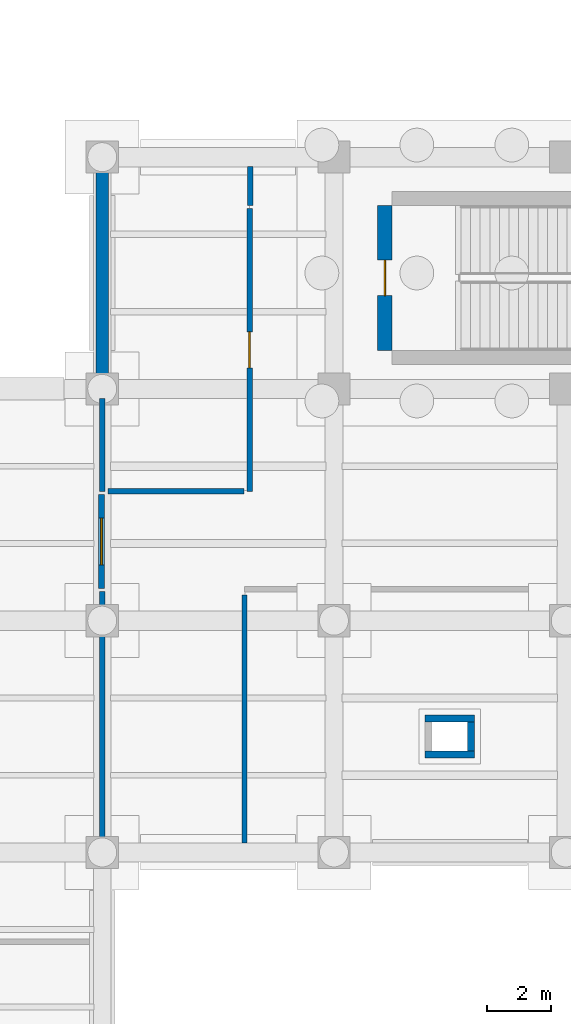
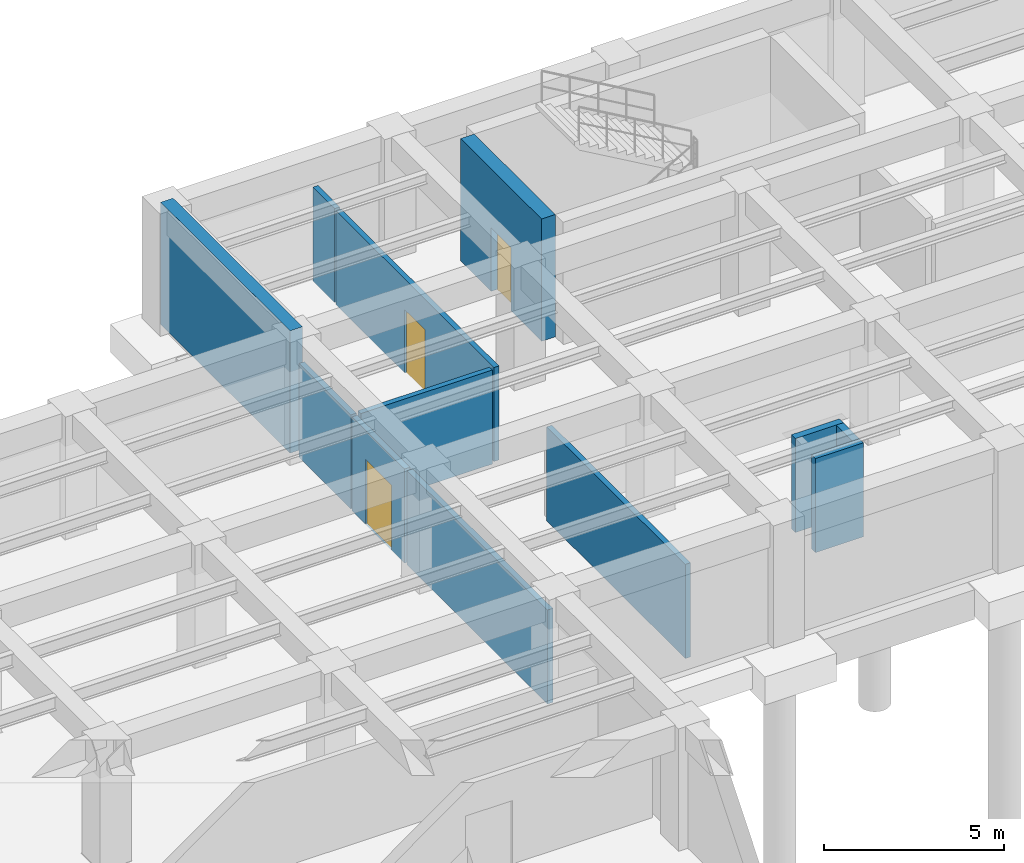
# One storey, part 18 of 34: 12 walls, 3 doors, 3 openings.
"""IFC4 building model written with IfcOpenShell, lengths in metres."""

from ifc_helpers import new_model, si_unit, direction, frame, frame_2d, origin, place, context, subcontext, project, spatial, rectangle, extrude, material, layer, layer_set, type_object, element, fill, save


model = new_model("IFC4")

# Units and contexts
model_context = context("Model", 3, precision=1e-05, world=origin(), true_north=direction((0.0, 1.0)))
body_context = subcontext(model_context, "Body", "Model", "MODEL_VIEW")
ifc_project = project(units=[si_unit("LENGTHUNIT", "METRE"), si_unit("AREAUNIT", "SQUARE_METRE"), si_unit("VOLUMEUNIT", "CUBIC_METRE"), si_unit("PLANEANGLEUNIT", "RADIAN"), si_unit("MASSUNIT", "GRAM", prefix="KILO")], contexts=[model_context])

# Site, building, storey
site_placement = place(None, origin())
site = spatial("IfcSite", under=ifc_project, at=site_placement, CompositionType="ELEMENT")
building_placement = place(site_placement, origin())
building = spatial("IfcBuilding", under=site, at=building_placement, Name="Solenvale Faculty of Natural Sciences", CompositionType="ELEMENT")
storey_placement = place(building_placement, frame((0.0, 0.0, -4.5)))
storey = spatial("IfcBuildingStorey", under=building, at=storey_placement, Name="B01", CompositionType="ELEMENT", Elevation=-4.5)

# Wall
ifc_material_1 = material(Name="Gypsum fire-rated laboratory partition")
ifc_layer_1 = layer(ifc_material_1, 0.175048828125)
ifc_layer_set_1 = layer_set([ifc_layer_1], Name="Gypsum fire-rated laboratory partition")
wall_type_1 = type_object("IfcWallType", Name="WL-LAB-175", PredefinedType="PARTITIONING", material=ifc_layer_set_1)
wall_1_placement = place(storey_placement, frame((115.199951171875, 50.10009765625, 0.0), z_axis=(0.0, 0.0, 1.0), x_axis=(0.0, -1.0, 0.0)))
element("IfcWall", 1, at=wall_1_placement, inside=storey, type_object=wall_type_1, Name="B01 Geotechnical Rock Mechanics Laboratory Partition 20", PredefinedType="PARTITIONING", context=body_context, shape_type="SweptSolid", body=[
    extrude(rectangle(XDim=2.880126953125, YDim=0.175048828125, at=frame_2d((1.43994140625, 0.0))), origin(), (0.0, 0.0, 1.0), 3.18994140625),
])

# Wall, opening, door
wall_2_placement = place(storey_placement, frame((115.179931640625, 47.1201171875, 0.0), z_axis=(0.0, 0.0, 1.0), x_axis=(0.0, -1.0, 0.0)))
wall_2 = element("IfcWall", 2, at=wall_2_placement, inside=storey, type_object=wall_type_1, Name="B01 Geotechnical Rock Mechanics Laboratory Partition 37", PredefinedType="PARTITIONING", context=body_context, shape_type="SweptSolid", body=[
    extrude(rectangle(XDim=2.920166015625, YDim=0.175048828125, at=frame_2d((1.4599609375, 0.0))), origin(), (0.0, 0.0, 1.0), 3.18994140625),
])
opening_1_placement = place(wall_2_placement, frame((0.735107421875, 0.0, 0.0)))
opening_1 = element("IfcOpeningElement", 3, at=opening_1_placement, cuts=wall_2, Name="Opening D-B01-08", PredefinedType="OPENING", context=body_context, shape_type="SweptSolid", body=[
    extrude(rectangle(XDim=1.449951171875, YDim=2.199951171875, at=frame_2d((0.72509765625, 1.10009765625))), frame((0.0, 0.097412109375, 0.0), z_axis=(0.0, -1.0, 0.0), x_axis=(1.0, 0.0, 0.0)), (0.0, 0.0, 1.0), 0.195068359375),
])
ifc_material_2 = material(Name="Oak acoustic timber leaf", Category="wood")
door_type_1 = type_object("IfcDoorType", Name="DR-LAB-1450x2200", OperationType="NOTDEFINED", PredefinedType="DOOR", material=ifc_material_2)
door_1_placement = place(opening_1_placement, origin())
door_1 = element("IfcDoor", 4, at=door_1_placement, inside=storey, type_object=door_type_1, Name="B01 Geotechnical Rock Mechanics Laboratory Door", OperationType="SINGLE_SWING_RIGHT", OverallHeight=2.199951171875, OverallWidth=1.449951171875, PredefinedType="DOOR", context=body_context, shape_type="SweptSolid", body=[
    extrude(rectangle(XDim=1.449951171875, YDim=2.199951171875, at=frame_2d((0.72509765625, 1.10009765625))), frame((0.0, 0.02490234375, 0.0), z_axis=(0.0, -1.0, 0.0), x_axis=(1.0, 0.0, 0.0)), (0.0, 0.0, 1.0), 0.050048828125),
])
fill(opening_1, door_1)

# Walls
wall_3_placement = place(storey_placement, frame((115.199951171875, 44.10107421875, 0.0), z_axis=(0.0, 0.0, 1.0), x_axis=(0.0, -1.0, 0.0)))
element("IfcWall", 5, at=wall_3_placement, inside=storey, type_object=wall_type_1, Name="B01 Geotechnical Rock Mechanics Laboratory Partition 54", PredefinedType="PARTITIONING", context=body_context, shape_type="SweptSolid", body=[
    extrude(rectangle(XDim=7.801025390625, YDim=0.175048828125, at=frame_2d((3.900390625, 0.0))), origin(), (0.0, 0.0, 1.0), 3.18994140625),
])
ifc_material_3 = material(Name="Concrete 40 MPa", Category="concrete")
ifc_layer_2 = layer(ifc_material_3, 0.39990234375)
ifc_layer_set_2 = layer_set([ifc_layer_2], Name="Concrete 40 MPa")
wall_type_2 = type_object("IfcWallType", Name="WL-RET-400", PredefinedType="SOLIDWALL", material=ifc_layer_set_2)
wall_4_placement = place(storey_placement, frame((115.199951171875, 50.39990234375, 0.0), z_axis=(0.0, 0.0, 1.0), x_axis=(0.0, 1.0, 0.0)))
element("IfcWall", 6, at=wall_4_placement, inside=storey, type_object=wall_type_2, Name="B01 Escarpment Retaining Wall 14", PredefinedType="SOLIDWALL", context=body_context, shape_type="SweptSolid", body=[
    extrude(rectangle(XDim=7.2001953125, YDim=0.39990234375, at=frame_2d((3.60009765625, 0.0))), origin(), (0.0, 0.0, 1.0), 4.14990234375),
])

# Wall, opening, door
ifc_material_4 = material(Name="Acoustic double-stud gypsum partition")
ifc_layer_3 = layer(ifc_material_4, 0.1650390625)
ifc_layer_set_3 = layer_set([ifc_layer_3], Name="Acoustic double-stud gypsum partition")
wall_type_3 = type_object("IfcWallType", Name="WL-SEM-165", PredefinedType="PARTITIONING", material=ifc_layer_set_3)
wall_5_placement = place(storey_placement, frame((119.780029296875, 56.0, 0.0), z_axis=(0.0, 0.0, 1.0), x_axis=(0.0, -1.0, 0.0)))
wall_5 = element("IfcWall", 7, at=wall_5_placement, inside=storey, type_object=wall_type_3, Name="B01 Seminar Room Partition 16", PredefinedType="PARTITIONING", context=body_context, shape_type="SweptSolid", body=[
    extrude(rectangle(XDim=8.780029296875, YDim=0.1650390625, at=frame_2d((4.39013671875, 0.0))), origin(), (0.0, 0.0, 1.0), 3.18994140625),
])
opening_2_placement = place(wall_5_placement, frame((3.830078125, 0.0, 0.0)))
opening_2 = element("IfcOpeningElement", 8, at=opening_2_placement, cuts=wall_5, Name="Opening D-B01-11", PredefinedType="OPENING", context=body_context, shape_type="SweptSolid", body=[
    extrude(rectangle(XDim=1.1201171875, YDim=2.14990234375, at=frame_2d((0.56005859375, 1.074951171875))), frame((0.0, 0.092529296875, 0.0), z_axis=(0.0, -1.0, 0.0), x_axis=(1.0, 0.0, 0.0)), (0.0, 0.0, 1.0), 0.18505859375),
])
door_type_2 = type_object("IfcDoorType", Name="DR-SEM-1120x2150", OperationType="NOTDEFINED", PredefinedType="DOOR", material=ifc_material_2)
door_2_placement = place(opening_2_placement, origin())
door_2 = element("IfcDoor", 9, at=door_2_placement, inside=storey, type_object=door_type_2, Name="B01 Seminar Room Door", OperationType="SINGLE_SWING_LEFT", OverallHeight=2.14990234375, OverallWidth=1.1201171875, PredefinedType="DOOR", context=body_context, shape_type="SweptSolid", body=[
    extrude(rectangle(XDim=1.1201171875, YDim=2.14990234375, at=frame_2d((0.56005859375, 1.074951171875))), frame((0.0, 0.02490234375, 0.0), z_axis=(0.0, -1.0, 0.0), x_axis=(1.0, 0.0, 0.0)), (0.0, 0.0, 1.0), 0.050048828125),
])
fill(opening_2, door_2)

# Walls
wall_6_placement = place(storey_placement, frame((119.60302734375, 47.219970703125, 0.0), z_axis=(0.0, 0.0, 1.0), x_axis=(-1.0, 0.0, 0.0)))
element("IfcWall", 10, at=wall_6_placement, inside=storey, type_object=wall_type_3, Name="B01 Seminar Room Partition 17", PredefinedType="PARTITIONING", context=body_context, shape_type="SweptSolid", body=[
    extrude(rectangle(XDim=4.220947265625, YDim=0.1650390625, at=frame_2d((2.1103515625, 0.0))), origin(), (0.0, 0.0, 1.0), 3.18994140625),
])
wall_7_placement = place(storey_placement, frame((119.800048828125, 57.305908203125, 0.0), z_axis=(0.0, 0.0, 1.0), x_axis=(0.0, -1.0, 0.0)))
element("IfcWall", 11, at=wall_7_placement, inside=storey, type_object=wall_type_3, Name="B01 Seminar Room Partition 38", PredefinedType="PARTITIONING", context=body_context, shape_type="SweptSolid", body=[
    extrude(rectangle(XDim=1.2119140625, YDim=0.1650390625, at=frame_2d((0.60595703125, 0.0))), origin(), (0.0, 0.0, 1.0), 3.18994140625),
])
ifc_layer_4 = layer(ifc_material_4, 0.169921875)
ifc_layer_set_4 = layer_set([ifc_layer_4], Name="Acoustic double-stud gypsum partition")
wall_type_4 = type_object("IfcWallType", Name="WL-SEM-170", PredefinedType="PARTITIONING", material=ifc_layer_set_4)
wall_8_placement = place(storey_placement, frame((119.6201171875, 36.297119140625, 0.0), z_axis=(0.0, 0.0, 1.0), x_axis=(0.0, 1.0, 0.0)))
element("IfcWall", 12, at=wall_8_placement, inside=storey, type_object=wall_type_4, Name="B01 Science Library Reference Reading Hall Partition 4", PredefinedType="PARTITIONING", context=body_context, shape_type="SweptSolid", body=[
    extrude(rectangle(XDim=7.700927734375, YDim=0.169921875, at=frame_2d((3.8505859375, 0.0))), origin(), (0.0, 0.0, 1.0), 3.18994140625),
])
ifc_layer_5 = layer(ifc_material_3, 0.219970703125)
ifc_layer_set_5 = layer_set([ifc_layer_5], Name="Concrete 40 MPa")
wall_type_5 = type_object("IfcWallType", Name="WL-SHF-220", PredefinedType="STANDARD", material=ifc_layer_set_5)
for number, where, z_axis, x_axis, name in (
    (13, (125.22998046875, 39.0400390625, 0.0), (0.0, 0.0, 1.0), (1.0, 0.0, 0.0), "B01 Service Riser Shaft 6 Wall S"),
    (14, (125.22998046875, 40.159912109375, 0.0), (0.0, 0.0, 1.0), (1.0, 0.0, 0.0), "B01 Service Riser Shaft 6 Wall N"),
):
    element("IfcWall", number, at=place(storey_placement, frame(where, z_axis=z_axis, x_axis=x_axis)), inside=storey, type_object=wall_type_5, Name=name, PredefinedType="STANDARD", context=body_context, shape_type="SweptSolid", body=[
        extrude(rectangle(XDim=1.5400390625, YDim=0.219970703125, at=frame_2d((0.77001953125, 0.0))), origin(), (0.0, 0.0, 1.0), 3.18994140625),
    ])
wall_9_placement = place(storey_placement, frame((126.659912109375, 39.14990234375, 0.0), z_axis=(0.0, 0.0, 1.0), x_axis=(0.0, 1.0, 0.0)))
element("IfcWall", 15, at=wall_9_placement, inside=storey, type_object=wall_type_5, Name="B01 Service Riser Shaft 6 Wall E", PredefinedType="STANDARD", context=body_context, shape_type="SweptSolid", body=[
    extrude(rectangle(XDim=0.900146484375, YDim=0.219970703125, at=frame_2d((0.4501953125, 0.0))), origin(), (0.0, 0.0, 1.0), 3.18994140625),
])

# Wall, opening, door
ifc_material_5 = material(Name="Concrete 50 MPa", Category="concrete")
ifc_layer_6 = layer(ifc_material_5, 0.43994140625)
ifc_layer_set_6 = layer_set([ifc_layer_6], Name="Concrete 50 MPa")
wall_type_6 = type_object("IfcWallType", Name="WL-SHR-440", PredefinedType="SHEAR", material=ifc_layer_set_6)
wall_10_placement = place(storey_placement, frame((123.97998046875, 51.60009765625, 0.0), z_axis=(0.0, 0.0, 1.0), x_axis=(0.0, 1.0, 0.0)))
wall_10 = element("IfcWall", 16, at=wall_10_placement, inside=storey, type_object=wall_type_6, Name="Core C2B B01 Shear Wall W", PredefinedType="SHEAR", context=body_context, shape_type="SweptSolid", body=[
    extrude(rectangle(XDim=4.5, YDim=0.43994140625, at=frame_2d((2.25, 0.0))), origin(), (0.0, 0.0, 1.0), 4.14990234375),
])
opening_3_placement = place(wall_10_placement, frame((1.699951171875, 0.0, 0.0)))
opening_3 = element("IfcOpeningElement", 17, at=opening_3_placement, cuts=wall_10, Name="Opening DS-C2B-B01", PredefinedType="OPENING", context=body_context, shape_type="SweptSolid", body=[
    extrude(rectangle(XDim=1.10009765625, YDim=2.14990234375, at=frame_2d((0.550048828125, 1.074951171875))), frame((0.0, 0.22998046875, 0.0), z_axis=(0.0, -1.0, 0.0), x_axis=(1.0, 0.0, 0.0)), (0.0, 0.0, 1.0), 0.4599609375),
])
ifc_material_6 = material(Name="Galvanised steel S355", Category="steel")
door_type_3 = type_object("IfcDoorType", Name="DR-STAIR-1100x2150", OperationType="NOTDEFINED", PredefinedType="DOOR", material=ifc_material_6)
door_3_placement = place(opening_3_placement, origin())
door_3 = element("IfcDoor", 18, at=door_3_placement, inside=storey, type_object=door_type_3, Name="B01 Stair ST-08 Fire Door", OperationType="SINGLE_SWING_LEFT", OverallHeight=2.14990234375, OverallWidth=1.10009765625, PredefinedType="DOOR", context=body_context, shape_type="SweptSolid", body=[
    extrude(rectangle(XDim=1.10009765625, YDim=2.14990234375, at=frame_2d((0.550048828125, 1.074951171875))), frame((0.0, 0.02490234375, 0.0), z_axis=(0.0, -1.0, 0.0), x_axis=(1.0, 0.0, 0.0)), (0.0, 0.0, 1.0), 0.050048828125),
])
fill(opening_3, door_3)

save(model, "model.ifc")
